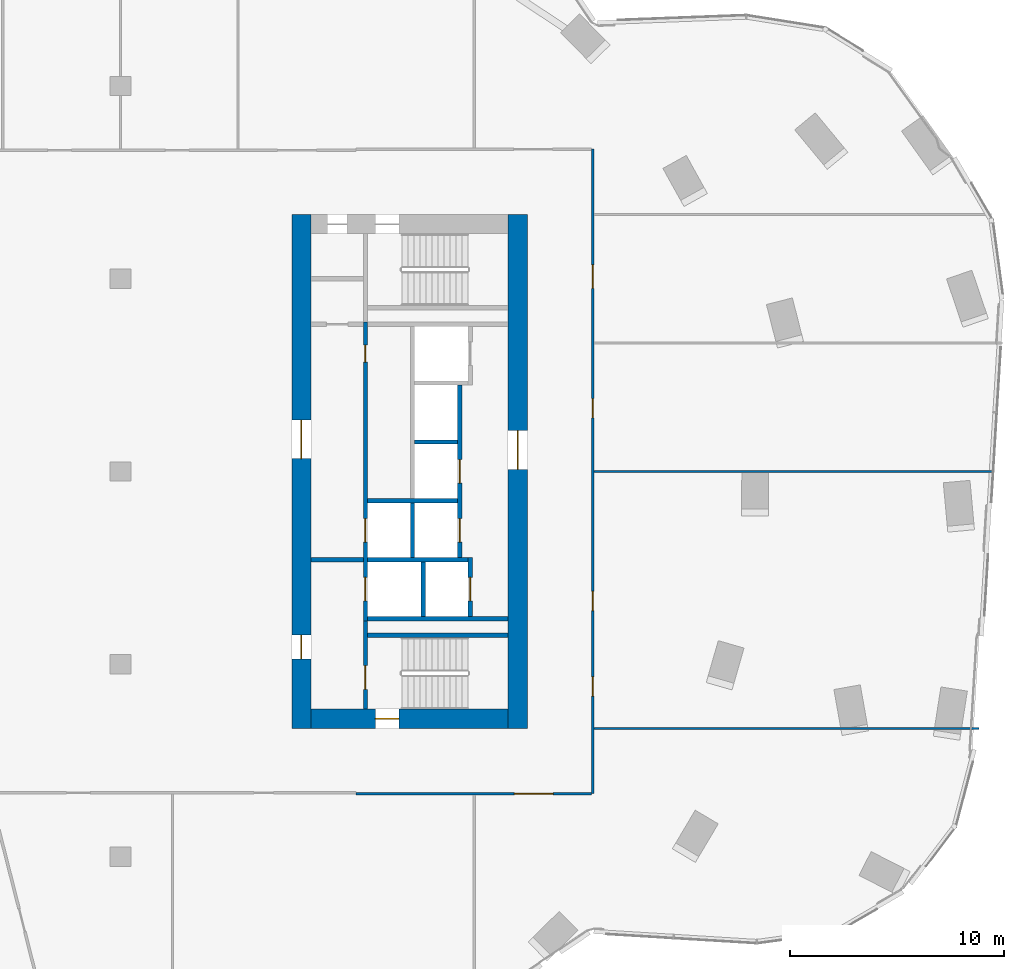
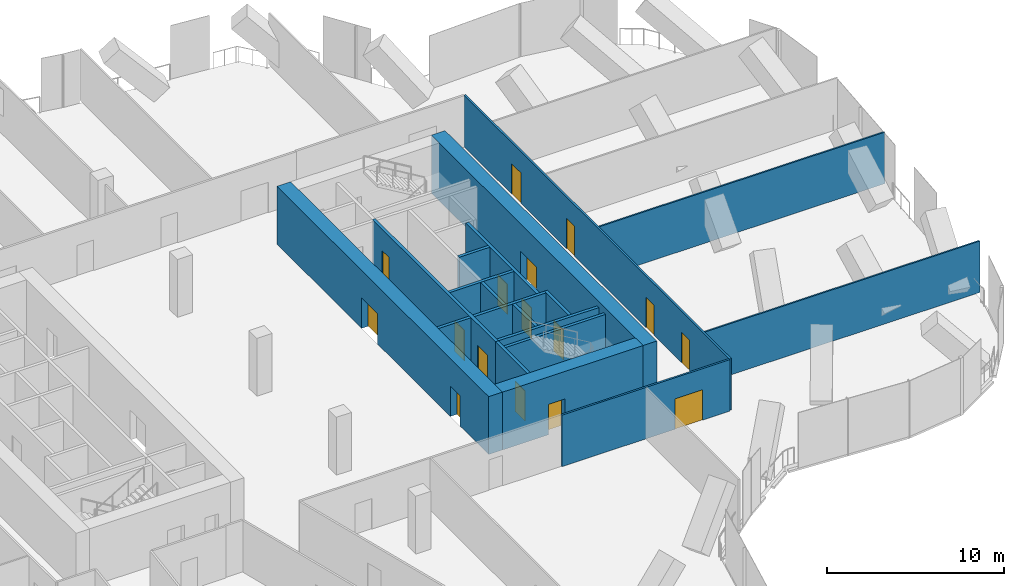
# One storey, part 22 of 28: 19 walls, 16 doors, 16 openings.
"""IFC4 building model written with IfcOpenShell, lengths in metres."""

from ifc_helpers import new_model, si_unit, direction, frame, frame_2d, origin, place, context, subcontext, project, spatial, rectangle, extrude, material, layer, layer_set, type_object, element, fill, save


model = new_model("IFC4")

# Units and contexts
model_context = context("Model", 3, precision=1e-05, world=origin(), true_north=direction((0.0, 1.0)))
body_context = subcontext(model_context, "Body", "Model", "MODEL_VIEW")
ifc_project = project(units=[si_unit("LENGTHUNIT", "METRE"), si_unit("AREAUNIT", "SQUARE_METRE"), si_unit("VOLUMEUNIT", "CUBIC_METRE"), si_unit("PLANEANGLEUNIT", "RADIAN"), si_unit("MASSUNIT", "GRAM", prefix="KILO")], contexts=[model_context])

# Site, building, storey
site_placement = place(None, origin())
site = spatial("IfcSite", under=ifc_project, at=site_placement, CompositionType="ELEMENT")
building_placement = place(site_placement, origin())
building = spatial("IfcBuilding", under=site, at=building_placement, Name="Orlundy Tower", CompositionType="ELEMENT")
storey_placement = place(building_placement, frame((0.0, 0.0, 163.10009765625)))
storey = spatial("IfcBuildingStorey", under=building, at=storey_placement, Name="L42", CompositionType="ELEMENT", Elevation=163.10009765625)

# Wall, opening, door
ifc_material_1 = material(Name="Concrete C70/85", Category="concrete")
ifc_layer_1 = layer(ifc_material_1, 0.89990234375)
ifc_layer_set_1 = layer_set([ifc_layer_1], Name="CORE WALL 900 C70/85")
wall_type_1 = type_object("IfcWallType", Name="CORE WALL 900 C70/85", PredefinedType="SHEAR", material=ifc_layer_set_1)
wall_1_placement = place(storey_placement, frame((8.89990234375, -11.550048828125, 0.0), z_axis=(0.0, 0.0, 1.0), x_axis=(1.0, 0.0, 0.0)))
wall_1 = element("IfcWall", 1, at=wall_1_placement, inside=storey, type_object=wall_type_1, Name="Core wall E-S L42", PredefinedType="SHEAR", context=body_context, shape_type="SweptSolid", body=[
    extrude(rectangle(XDim=9.2001953125, YDim=0.89990234375, at=frame_2d((4.60009765625, 0.0))), origin(), (0.0, 0.0, 1.0), 4.0),
])
opening_1_placement = place(wall_1_placement, frame((3.0, 0.0, 0.0)))
opening_1 = element("IfcOpeningElement", 2, at=opening_1_placement, cuts=wall_1, Name="Opening 33060", PredefinedType="OPENING", context=body_context, shape_type="SweptSolid", body=[
    extrude(rectangle(XDim=1.10009765625, YDim=2.10009765625, at=frame_2d((0.550048828125, 1.050048828125))), frame((0.0, 0.4599609375, 0.0), z_axis=(0.0, -1.0, 0.0), x_axis=(1.0, 0.0, 0.0)), (0.0, 0.0, 1.0), 0.919921875),
])
ifc_material_2 = material(Name="Steel door set", Category="steel")
door_type_1 = type_object("IfcDoorType", Name="Stair Door 1100x2100", OperationType="SINGLE_SWING_LEFT", PredefinedType="DOOR", material=ifc_material_2)
door_1_placement = place(opening_1_placement, origin())
door_1 = element("IfcDoor", 3, at=door_1_placement, inside=storey, type_object=door_type_1, Name="Stair door 33060", OperationType="SINGLE_SWING_LEFT", OverallHeight=2.10009765625, OverallWidth=1.10009765625, PredefinedType="DOOR", context=body_context, shape_type="SweptSolid", body=[
    extrude(rectangle(XDim=1.10009765625, YDim=2.10009765625, at=frame_2d((0.550048828125, 1.050048828125))), frame((0.0, 0.02490234375, 0.0), z_axis=(0.0, -1.0, 0.0), x_axis=(1.0, 0.0, 0.0)), (0.0, 0.0, 1.0), 0.050048828125),
])
fill(opening_1, door_1)

# Wall, openings, doors
wall_2_placement = place(storey_placement, frame((8.449951171875, -12.0, 0.0), z_axis=(0.0, 0.0, 1.0), x_axis=(0.0, 1.0, 0.0)))
wall_2 = element("IfcWall", 4, at=wall_2_placement, inside=storey, type_object=wall_type_1, Name="Core wall E-W L42", PredefinedType="SHEAR", context=body_context, shape_type="SweptSolid", body=[
    extrude(rectangle(XDim=24.0, YDim=0.89990234375, at=frame_2d((12.0, 0.0))), origin(), (0.0, 0.0, 1.0), 4.0),
])
opening_2_placement = place(wall_2_placement, frame((12.60009765625, 0.0, 0.0)))
opening_2 = element("IfcOpeningElement", 5, at=opening_2_placement, cuts=wall_2, Name="Opening 33057", PredefinedType="OPENING", context=body_context, shape_type="SweptSolid", body=[
    extrude(rectangle(XDim=1.800048828125, YDim=2.10009765625, at=frame_2d((0.89990234375, 1.050048828125))), frame((0.0, 0.4599609375, 0.0), z_axis=(0.0, -1.0, 0.0), x_axis=(1.0, 0.0, 0.0)), (0.0, 0.0, 1.0), 0.919921875),
])
opening_3_placement = place(wall_2_placement, frame((3.25, 0.0, 0.0)))
opening_3 = element("IfcOpeningElement", 6, at=opening_3_placement, cuts=wall_2, Name="Opening 33059", PredefinedType="OPENING", context=body_context, shape_type="SweptSolid", body=[
    extrude(rectangle(XDim=1.10009765625, YDim=2.10009765625, at=frame_2d((0.550048828125, 1.050048828125))), frame((0.0, 0.4599609375, 0.0), z_axis=(0.0, -1.0, 0.0), x_axis=(1.0, 0.0, 0.0)), (0.0, 0.0, 1.0), 0.919921875),
])
ifc_material_3 = material(Name="Steel door set", Category="steel")
door_type_2 = type_object("IfcDoorType", Name="Fire-fighting Lobby Door 1100x2100", OperationType="SINGLE_SWING_LEFT", PredefinedType="DOOR", material=ifc_material_3)
door_2_placement = place(opening_3_placement, origin())
door_2 = element("IfcDoor", 7, at=door_2_placement, inside=storey, type_object=door_type_2, Name="Fire-fighting lobby door 33059", OperationType="SINGLE_SWING_LEFT", OverallHeight=2.10009765625, OverallWidth=1.10009765625, PredefinedType="DOOR", context=body_context, shape_type="SweptSolid", body=[
    extrude(rectangle(XDim=1.10009765625, YDim=2.10009765625, at=frame_2d((0.550048828125, 1.050048828125))), frame((0.0, 0.02490234375, 0.0), z_axis=(0.0, -1.0, 0.0), x_axis=(1.0, 0.0, 0.0)), (0.0, 0.0, 1.0), 0.050048828125),
])
fill(opening_3, door_2)
ifc_material_4 = material(Name="Timber door set", Category="wood")
door_type_3 = type_object("IfcDoorType", Name="Lobby Door 1800x2100", OperationType="DOUBLE_DOOR_DOUBLE_SWING", PredefinedType="DOOR", material=ifc_material_4)
door_3_placement = place(opening_2_placement, origin())
door_3 = element("IfcDoor", 8, at=door_3_placement, inside=storey, type_object=door_type_3, Name="Lift lobby door 33057", OperationType="SINGLE_SWING_RIGHT", OverallHeight=2.10009765625, OverallWidth=1.800048828125, PredefinedType="DOOR", context=body_context, shape_type="SweptSolid", body=[
    extrude(rectangle(XDim=1.800048828125, YDim=2.10009765625, at=frame_2d((0.89990234375, 1.050048828125))), frame((0.0, 0.02490234375, 0.0), z_axis=(0.0, -1.0, 0.0), x_axis=(1.0, 0.0, 0.0)), (0.0, 0.0, 1.0), 0.050048828125),
])
fill(opening_2, door_3)

# Wall, opening, door
wall_3_placement = place(storey_placement, frame((18.550048828125, -12.0, 0.0), z_axis=(0.0, 0.0, 1.0), x_axis=(0.0, 1.0, 0.0)))
wall_3 = element("IfcWall", 9, at=wall_3_placement, inside=storey, type_object=wall_type_1, Name="Core wall E-E L42", PredefinedType="SHEAR", context=body_context, shape_type="SweptSolid", body=[
    extrude(rectangle(XDim=24.0, YDim=0.89990234375, at=frame_2d((12.0, 0.0))), origin(), (0.0, 0.0, 1.0), 4.0),
])
opening_4_placement = place(wall_3_placement, frame((12.10009765625, 0.0, 0.0)))
opening_4 = element("IfcOpeningElement", 10, at=opening_4_placement, cuts=wall_3, Name="Opening 33058", PredefinedType="OPENING", context=body_context, shape_type="SweptSolid", body=[
    extrude(rectangle(XDim=1.800048828125, YDim=2.10009765625, at=frame_2d((0.89990234375, 1.050048828125))), frame((0.0, 0.4599609375, 0.0), z_axis=(0.0, -1.0, 0.0), x_axis=(1.0, 0.0, 0.0)), (0.0, 0.0, 1.0), 0.919921875),
])
door_4_placement = place(opening_4_placement, origin())
door_4 = element("IfcDoor", 11, at=door_4_placement, inside=storey, type_object=door_type_3, Name="Lift lobby door 33058", OperationType="SINGLE_SWING_RIGHT", OverallHeight=2.10009765625, OverallWidth=1.800048828125, PredefinedType="DOOR", context=body_context, shape_type="SweptSolid", body=[
    extrude(rectangle(XDim=1.800048828125, YDim=2.10009765625, at=frame_2d((0.89990234375, 1.050048828125))), frame((0.0, 0.02490234375, 0.0), z_axis=(0.0, -1.0, 0.0), x_axis=(1.0, 0.0, 0.0)), (0.0, 0.0, 1.0), 0.050048828125),
])
fill(opening_4, door_4)

# Walls
ifc_material_5 = material(Name="Gypsum board partition")
ifc_layer_2 = layer(ifc_material_5, 0.10009765625)
ifc_layer_set_2 = layer_set([ifc_layer_2], Name="Floor partition 100")
wall_type_2 = type_object("IfcWallType", Name="Floor partition 100", PredefinedType="PARTITIONING", material=ifc_layer_set_2)
wall_4_placement = place(storey_placement, frame((22.113037109375, -12.0, 0.0), z_axis=(0.0, 0.0, 1.0), x_axis=(1.0, 0.0, 0.0)))
element("IfcWall", 12, at=wall_4_placement, inside=storey, type_object=wall_type_2, Name="wall-int-L42-047", PredefinedType="PARTITIONING", context=body_context, shape_type="SweptSolid", body=[
    extrude(rectangle(XDim=17.97900390625, YDim=0.10009765625, at=frame_2d((8.989501953125, 0.0))), origin(), (0.0, 0.0, 1.0), 3.559814453125),
])
wall_5_placement = place(storey_placement, frame((22.113037109375, 0.0, 0.0), z_axis=(0.0, 0.0, 1.0), x_axis=(1.0, 0.0, 0.0)))
element("IfcWall", 13, at=wall_5_placement, inside=storey, type_object=wall_type_2, Name="wall-int-L42-049", PredefinedType="PARTITIONING", context=body_context, shape_type="SweptSolid", body=[
    extrude(rectangle(XDim=18.712890625, YDim=0.10009765625, at=frame_2d((9.3564453125, 0.0))), origin(), (0.0, 0.0, 1.0), 3.559814453125),
])

# Wall, opening, door
ifc_material_6 = material(Name="Gypsum board partition, double layer")
ifc_layer_3 = layer(ifc_material_6, 0.125)
ifc_layer_set_3 = layer_set([ifc_layer_3], Name="Floor partition 125")
wall_type_3 = type_object("IfcWallType", Name="Floor partition 125", PredefinedType="PARTITIONING", material=ifc_layer_set_3)
wall_6_placement = place(storey_placement, frame((21.988037109375, -15.051025390625, 0.0), z_axis=(0.0, 0.0, 1.0), x_axis=(-1.0, 0.0, 0.0)))
wall_6 = element("IfcWall", 14, at=wall_6_placement, inside=storey, type_object=wall_type_3, Name="wall-int-L42-043", PredefinedType="PARTITIONING", context=body_context, shape_type="SweptSolid", body=[
    extrude(rectangle(XDim=10.9970703125, YDim=0.125, at=frame_2d((5.49853515625, 0.0))), origin(), (0.0, 0.0, 1.0), 3.559814453125),
])
opening_5_placement = place(wall_6_placement, frame((1.78759765625, 0.0, 0.0)))
opening_5 = element("IfcOpeningElement", 15, at=opening_5_placement, cuts=wall_6, Name="Opening 33118", PredefinedType="OPENING", context=body_context, shape_type="SweptSolid", body=[
    extrude(rectangle(XDim=1.800048828125, YDim=2.10009765625, at=frame_2d((0.89990234375, 1.050048828125))), frame((0.0, 0.072509765625, 0.0), z_axis=(0.0, -1.0, 0.0), x_axis=(1.0, 0.0, 0.0)), (0.0, 0.0, 1.0), 0.14501953125),
])
ifc_material_7 = material(Name="Timber door leaf", Category="wood")
door_type_4 = type_object("IfcDoorType", Name="Floor door double 1800 FD30S", OperationType="NOTDEFINED", PredefinedType="DOOR", material=ifc_material_7)
door_5_placement = place(opening_5_placement, origin())
door_5 = element("IfcDoor", 16, at=door_5_placement, inside=storey, type_object=door_type_4, Name="Door 33118", OperationType="DOUBLE_DOOR_SINGLE_SWING", OverallHeight=2.10009765625, OverallWidth=1.800048828125, PredefinedType="DOOR", context=body_context, shape_type="SweptSolid", body=[
    extrude(rectangle(XDim=1.800048828125, YDim=2.10009765625, at=frame_2d((0.89990234375, 1.050048828125))), frame((0.0, 0.02490234375, 0.0), z_axis=(0.0, -1.0, 0.0), x_axis=(1.0, 0.0, 0.0)), (0.0, 0.0, 1.0), 0.050048828125),
])
fill(opening_5, door_5)

# Wall, openings, doors
wall_7_placement = place(storey_placement, frame((22.051025390625, 15.050048828125, 0.0), z_axis=(0.0, 0.0, 1.0), x_axis=(0.0, -1.0, 0.0)))
wall_7 = element("IfcWall", 17, at=wall_7_placement, inside=storey, type_object=wall_type_3, Name="wall-int-L42-091", PredefinedType="PARTITIONING", context=body_context, shape_type="SweptSolid", body=[
    extrude(rectangle(XDim=30.10009765625, YDim=0.125, at=frame_2d((15.050048828125, 0.0))), origin(), (0.0, 0.0, 1.0), 3.559814453125),
])
opening_6_placement = place(wall_7_placement, frame((24.64990234375, 0.0, 0.0)))
opening_6 = element("IfcOpeningElement", 18, at=opening_6_placement, cuts=wall_7, Name="Opening 33119", PredefinedType="OPENING", context=body_context, shape_type="SweptSolid", body=[
    extrude(rectangle(XDim=0.89990234375, YDim=2.10009765625, at=frame_2d((0.449951171875, 1.050048828125))), frame((0.0, 0.072509765625, 0.0), z_axis=(0.0, -1.0, 0.0), x_axis=(1.0, 0.0, 0.0)), (0.0, 0.0, 1.0), 0.14501953125),
])
opening_7_placement = place(wall_7_placement, frame((20.64990234375, 0.0, 0.0)))
opening_7 = element("IfcOpeningElement", 19, at=opening_7_placement, cuts=wall_7, Name="Opening 33120", PredefinedType="OPENING", context=body_context, shape_type="SweptSolid", body=[
    extrude(rectangle(XDim=0.89990234375, YDim=2.10009765625, at=frame_2d((0.449951171875, 1.050048828125))), frame((0.0, 0.072509765625, 0.0), z_axis=(0.0, -1.0, 0.0), x_axis=(1.0, 0.0, 0.0)), (0.0, 0.0, 1.0), 0.14501953125),
])
opening_8_placement = place(wall_7_placement, frame((11.64990234375, 0.0, 0.0)))
opening_8 = element("IfcOpeningElement", 20, at=opening_8_placement, cuts=wall_7, Name="Opening 33121", PredefinedType="OPENING", context=body_context, shape_type="SweptSolid", body=[
    extrude(rectangle(XDim=0.89990234375, YDim=2.10009765625, at=frame_2d((0.449951171875, 1.050048828125))), frame((0.0, 0.072509765625, 0.0), z_axis=(0.0, -1.0, 0.0), x_axis=(1.0, 0.0, 0.0)), (0.0, 0.0, 1.0), 0.14501953125),
])
opening_9_placement = place(wall_7_placement, frame((5.39990234375, 0.0, 0.0)))
opening_9 = element("IfcOpeningElement", 21, at=opening_9_placement, cuts=wall_7, Name="Opening 33122", PredefinedType="OPENING", context=body_context, shape_type="SweptSolid", body=[
    extrude(rectangle(XDim=1.10009765625, YDim=2.10009765625, at=frame_2d((0.550048828125, 1.050048828125))), frame((0.0, 0.072509765625, 0.0), z_axis=(0.0, -1.0, 0.0), x_axis=(1.0, 0.0, 0.0)), (0.0, 0.0, 1.0), 0.14501953125),
])
ifc_material_8 = material(Name="Timber door leaf", Category="wood")
door_type_5 = type_object("IfcDoorType", Name="Floor door single 900 FD30S", OperationType="NOTDEFINED", PredefinedType="DOOR", material=ifc_material_8)
door_6_placement = place(opening_6_placement, origin())
door_6 = element("IfcDoor", 22, at=door_6_placement, inside=storey, type_object=door_type_5, Name="Door 33119", OperationType="SINGLE_SWING_RIGHT", OverallHeight=2.10009765625, OverallWidth=0.89990234375, PredefinedType="DOOR", context=body_context, shape_type="SweptSolid", body=[
    extrude(rectangle(XDim=0.89990234375, YDim=2.10009765625, at=frame_2d((0.449951171875, 1.050048828125))), frame((0.0, 0.02490234375, 0.0), z_axis=(0.0, -1.0, 0.0), x_axis=(1.0, 0.0, 0.0)), (0.0, 0.0, 1.0), 0.050048828125),
])
fill(opening_6, door_6)
door_7_placement = place(opening_7_placement, origin())
door_7 = element("IfcDoor", 23, at=door_7_placement, inside=storey, type_object=door_type_5, Name="Door 33120", OperationType="SINGLE_SWING_RIGHT", OverallHeight=2.10009765625, OverallWidth=0.89990234375, PredefinedType="DOOR", context=body_context, shape_type="SweptSolid", body=[
    extrude(rectangle(XDim=0.89990234375, YDim=2.10009765625, at=frame_2d((0.449951171875, 1.050048828125))), frame((0.0, 0.02490234375, 0.0), z_axis=(0.0, -1.0, 0.0), x_axis=(1.0, 0.0, 0.0)), (0.0, 0.0, 1.0), 0.050048828125),
])
fill(opening_7, door_7)
door_8_placement = place(opening_8_placement, origin())
door_8 = element("IfcDoor", 24, at=door_8_placement, inside=storey, type_object=door_type_5, Name="Door 33121", OperationType="SINGLE_SWING_LEFT", OverallHeight=2.10009765625, OverallWidth=0.89990234375, PredefinedType="DOOR", context=body_context, shape_type="SweptSolid", body=[
    extrude(rectangle(XDim=0.89990234375, YDim=2.10009765625, at=frame_2d((0.449951171875, 1.050048828125))), frame((0.0, 0.02490234375, 0.0), z_axis=(0.0, -1.0, 0.0), x_axis=(1.0, 0.0, 0.0)), (0.0, 0.0, 1.0), 0.050048828125),
])
fill(opening_8, door_8)
ifc_material_9 = material(Name="Timber door leaf", Category="wood")
door_type_6 = type_object("IfcDoorType", Name="Floor door xwide 1100 FD30S", OperationType="NOTDEFINED", PredefinedType="DOOR", material=ifc_material_9)
door_9_placement = place(opening_9_placement, origin())
door_9 = element("IfcDoor", 25, at=door_9_placement, inside=storey, type_object=door_type_6, Name="Door 33122", OperationType="SINGLE_SWING_LEFT", OverallHeight=2.10009765625, OverallWidth=1.10009765625, PredefinedType="DOOR", context=body_context, shape_type="SweptSolid", body=[
    extrude(rectangle(XDim=1.10009765625, YDim=2.10009765625, at=frame_2d((0.550048828125, 1.050048828125))), frame((0.0, 0.02490234375, 0.0), z_axis=(0.0, -1.0, 0.0), x_axis=(1.0, 0.0, 0.0)), (0.0, 0.0, 1.0), 0.050048828125),
])
fill(opening_9, door_9)

# Wall, opening, door
ifc_material_10 = material(Name="Concrete C40/50", Category="concrete")
ifc_layer_4 = layer(ifc_material_10, 0.199951171875)
ifc_layer_set_4 = layer_set([ifc_layer_4], Name="Load-bearing Shaft Wall 200")
wall_type_4 = type_object("IfcWallType", Name="Load-bearing Shaft Wall 200", PredefinedType="SOLIDWALL", material=ifc_layer_set_4)
wall_8_placement = place(storey_placement, frame((11.43994140625, -6.97509765625, 0.0), z_axis=(0.0, 0.0, 1.0), x_axis=(0.0, -1.0, 0.0)))
wall_8 = element("IfcWall", 26, at=wall_8_placement, inside=storey, type_object=wall_type_4, Name="Shaft wall E33-stair-end-n", PredefinedType="SOLIDWALL", context=body_context, shape_type="SweptSolid", body=[
    extrude(rectangle(XDim=4.125, YDim=0.199951171875, at=frame_2d((2.0625, 0.0))), origin(), (0.0, 0.0, 1.0), 3.579833984375),
])
opening_10_placement = place(wall_8_placement, frame((2.10009765625, 0.0, 0.0)))
opening_10 = element("IfcOpeningElement", 27, at=opening_10_placement, cuts=wall_8, Name="Opening 33062", PredefinedType="OPENING", context=body_context, shape_type="SweptSolid", body=[
    extrude(rectangle(XDim=1.10009765625, YDim=2.10009765625, at=frame_2d((0.550048828125, 1.050048828125))), frame((0.0, 0.110107421875, 0.0), z_axis=(0.0, -1.0, 0.0), x_axis=(1.0, 0.0, 0.0)), (0.0, 0.0, 1.0), 0.22021484375),
])
door_10_placement = place(opening_10_placement, origin())
door_10 = element("IfcDoor", 28, at=door_10_placement, inside=storey, type_object=door_type_2, Name="Fire-fighting lobby to stair door 33062", OperationType="SINGLE_SWING_RIGHT", OverallHeight=2.10009765625, OverallWidth=1.10009765625, PredefinedType="DOOR", context=body_context, shape_type="SweptSolid", body=[
    extrude(rectangle(XDim=1.10009765625, YDim=2.10009765625, at=frame_2d((0.550048828125, 1.050048828125))), frame((0.0, 0.02490234375, 0.0), z_axis=(0.0, -1.0, 0.0), x_axis=(1.0, 0.0, 0.0)), (0.0, 0.0, 1.0), 0.050048828125),
])
fill(opening_10, door_10)

# Walls
wall_9_placement = place(storey_placement, frame((11.5400390625, -7.64990234375, 0.0), z_axis=(0.0, 0.0, 1.0), x_axis=(1.0, 0.0, 0.0)))
element("IfcWall", 29, at=wall_9_placement, inside=storey, type_object=wall_type_4, Name="Shaft wall E33-stair-side-n", PredefinedType="SOLIDWALL", context=body_context, shape_type="SweptSolid", body=[
    extrude(rectangle(XDim=6.56005859375, YDim=0.199951171875, at=frame_2d((3.280029296875, 0.0))), origin(), (0.0, 0.0, 1.0), 3.579833984375),
])
ifc_material_11 = material(Name="Gypsum board partition on steel studs", Category="steel")
ifc_layer_5 = layer(ifc_material_11, 0.199951171875)
ifc_layer_set_5 = layer_set([ifc_layer_5], Name="Partition 200")
wall_type_5 = type_object("IfcWallType", Name="Partition 200", PredefinedType="PARTITIONING", material=ifc_layer_set_5)
wall_10_placement = place(storey_placement, frame((8.89990234375, -4.125, 0.0), z_axis=(0.0, 0.0, 1.0), x_axis=(1.0, 0.0, 0.0)))
element("IfcWall", 30, at=wall_10_placement, inside=storey, type_object=wall_type_5, Name="Partition wall E33-lobby-n", PredefinedType="PARTITIONING", context=body_context, shape_type="SweptSolid", body=[
    extrude(rectangle(XDim=2.440185546875, YDim=0.199951171875, at=frame_2d((1.22021484375, 0.0))), origin(), (0.0, 0.0, 1.0), 3.579833984375),
])
ifc_material_12 = material(Name="Fire-rated blockwork shaft wall", Category="masonry")
ifc_layer_6 = layer(ifc_material_12, 0.199951171875)
ifc_layer_set_6 = layer_set([ifc_layer_6], Name="Shaft Wall 200")
wall_type_6 = type_object("IfcWallType", Name="Shaft Wall 200", PredefinedType="SOLIDWALL", material=ifc_layer_set_6)
wall_11_placement = place(storey_placement, frame((11.5400390625, -6.875, 0.0), z_axis=(0.0, 0.0, 1.0), x_axis=(1.0, 0.0, 0.0)))
element("IfcWall", 31, at=wall_11_placement, inside=storey, type_object=wall_type_6, Name="Shaft wall E33-zone-n", PredefinedType="SOLIDWALL", context=body_context, shape_type="SweptSolid", body=[
    extrude(rectangle(XDim=6.56005859375, YDim=0.199951171875, at=frame_2d((3.280029296875, 0.0))), origin(), (0.0, 0.0, 1.0), 3.579833984375),
])
wall_12_placement = place(storey_placement, frame((13.739990234375, 1.375, 0.0), z_axis=(0.0, 0.0, 1.0), x_axis=(1.0, 0.0, 0.0)))
element("IfcWall", 32, at=wall_12_placement, inside=storey, type_object=wall_type_6, Name="Shaft wall E33-cross-1.375", PredefinedType="SOLIDWALL", context=body_context, shape_type="SweptSolid", body=[
    extrude(rectangle(XDim=2.0, YDim=0.199951171875, at=frame_2d((1.0, 0.0))), origin(), (0.0, 0.0, 1.0), 3.579833984375),
])
wall_13_placement = place(storey_placement, frame((11.5400390625, -1.375, 0.0), z_axis=(0.0, 0.0, 1.0), x_axis=(1.0, 0.0, 0.0)))
element("IfcWall", 33, at=wall_13_placement, inside=storey, type_object=wall_type_6, Name="Shaft wall E33-cross+1.375", PredefinedType="SOLIDWALL", context=body_context, shape_type="SweptSolid", body=[
    extrude(rectangle(XDim=4.199951171875, YDim=0.199951171875, at=frame_2d((2.10009765625, 0.0))), origin(), (0.0, 0.0, 1.0), 3.579833984375),
])
wall_14_placement = place(storey_placement, frame((11.5400390625, -4.125, 0.0), z_axis=(0.0, 0.0, 1.0), x_axis=(1.0, 0.0, 0.0)))
element("IfcWall", 34, at=wall_14_placement, inside=storey, type_object=wall_type_6, Name="Shaft wall E33-cross+4.125", PredefinedType="SOLIDWALL", context=body_context, shape_type="SweptSolid", body=[
    extrude(rectangle(XDim=4.699951171875, YDim=0.199951171875, at=frame_2d((2.35009765625, 0.0))), origin(), (0.0, 0.0, 1.0), 3.579833984375),
])

# Wall, openings, doors
wall_15_placement = place(storey_placement, frame((11.43994140625, 6.97509765625, 0.0), z_axis=(0.0, 0.0, 1.0), x_axis=(0.0, -1.0, 0.0)))
wall_15 = element("IfcWall", 35, at=wall_15_placement, inside=storey, type_object=wall_type_6, Name="Shaft wall E33-front-h", PredefinedType="SOLIDWALL", context=body_context, shape_type="SweptSolid", body=[
    extrude(rectangle(XDim=13.9501953125, YDim=0.199951171875, at=frame_2d((6.97509765625, 0.0))), origin(), (0.0, 0.0, 1.0), 3.579833984375),
])
opening_11_placement = place(wall_15_placement, frame((9.175048828125, 0.0, 0.0)))
opening_11 = element("IfcOpeningElement", 36, at=opening_11_placement, cuts=wall_15, Name="Opening 33052", PredefinedType="OPENING", context=body_context, shape_type="SweptSolid", body=[
    extrude(rectangle(XDim=1.10009765625, YDim=2.10009765625, at=frame_2d((0.550048828125, 1.050048828125))), frame((0.0, 0.110107421875, 0.0), z_axis=(0.0, -1.0, 0.0), x_axis=(1.0, 0.0, 0.0)), (0.0, 0.0, 1.0), 0.22021484375),
])
opening_12_placement = place(wall_15_placement, frame((11.925048828125, 0.0, 0.0)))
opening_12 = element("IfcOpeningElement", 37, at=opening_12_placement, cuts=wall_15, Name="Opening 33054", PredefinedType="OPENING", context=body_context, shape_type="SweptSolid", body=[
    extrude(rectangle(XDim=1.10009765625, YDim=2.10009765625, at=frame_2d((0.550048828125, 1.050048828125))), frame((0.0, 0.110107421875, 0.0), z_axis=(0.0, -1.0, 0.0), x_axis=(1.0, 0.0, 0.0)), (0.0, 0.0, 1.0), 0.22021484375),
])
opening_13_placement = place(wall_15_placement, frame((1.074951171875, 0.0, 0.0)))
opening_13 = element("IfcOpeningElement", 38, at=opening_13_placement, cuts=wall_15, Name="Opening 33056", PredefinedType="OPENING", context=body_context, shape_type="SweptSolid", body=[
    extrude(rectangle(XDim=0.800048828125, YDim=2.10009765625, at=frame_2d((0.39990234375, 1.050048828125))), frame((0.0, 0.110107421875, 0.0), z_axis=(0.0, -1.0, 0.0), x_axis=(1.0, 0.0, 0.0)), (0.0, 0.0, 1.0), 0.22021484375),
])
ifc_material_13 = material(Name="Steel door set", Category="steel")
door_type_7 = type_object("IfcDoorType", Name="Landing Door 1100x2100", OperationType="DOUBLE_DOOR_SLIDING", PredefinedType="DOOR", material=ifc_material_13)
door_11_placement = place(opening_11_placement, origin())
door_11 = element("IfcDoor", 39, at=door_11_placement, inside=storey, type_object=door_type_7, Name="Lift landing door LP-16 33052", OperationType="DOUBLE_DOOR_SLIDING", OverallHeight=2.10009765625, OverallWidth=1.10009765625, PredefinedType="DOOR", context=body_context, shape_type="SweptSolid", body=[
    extrude(rectangle(XDim=1.10009765625, YDim=2.10009765625, at=frame_2d((0.550048828125, 1.050048828125))), frame((0.0, 0.02490234375, 0.0), z_axis=(0.0, -1.0, 0.0), x_axis=(1.0, 0.0, 0.0)), (0.0, 0.0, 1.0), 0.050048828125),
])
fill(opening_11, door_11)
door_12_placement = place(opening_12_placement, origin())
door_12 = element("IfcDoor", 40, at=door_12_placement, inside=storey, type_object=door_type_7, Name="Lift landing door FL2 33054", OperationType="DOUBLE_DOOR_SLIDING", OverallHeight=2.10009765625, OverallWidth=1.10009765625, PredefinedType="DOOR", context=body_context, shape_type="SweptSolid", body=[
    extrude(rectangle(XDim=1.10009765625, YDim=2.10009765625, at=frame_2d((0.550048828125, 1.050048828125))), frame((0.0, 0.02490234375, 0.0), z_axis=(0.0, -1.0, 0.0), x_axis=(1.0, 0.0, 0.0)), (0.0, 0.0, 1.0), 0.050048828125),
])
fill(opening_12, door_12)
ifc_material_14 = material(Name="Timber door set", Category="wood")
door_type_8 = type_object("IfcDoorType", Name="Riser Door 800x2100", OperationType="SINGLE_SWING_LEFT", PredefinedType="DOOR", material=ifc_material_14)
door_13_placement = place(opening_13_placement, origin())
door_13 = element("IfcDoor", 41, at=door_13_placement, inside=storey, type_object=door_type_8, Name="Electrical Riser Room door 33056", OperationType="SINGLE_SWING_LEFT", OverallHeight=2.10009765625, OverallWidth=0.800048828125, PredefinedType="DOOR", context=body_context, shape_type="SweptSolid", body=[
    extrude(rectangle(XDim=0.800048828125, YDim=2.10009765625, at=frame_2d((0.39990234375, 1.050048828125))), frame((0.0, 0.02490234375, 0.0), z_axis=(0.0, -1.0, 0.0), x_axis=(1.0, 0.0, 0.0)), (0.0, 0.0, 1.0), 0.050048828125),
])
fill(opening_13, door_13)

# Walls
for number, where, z_axis, x_axis, name in (
    (42, (13.639892578125, -1.47509765625, 0.0), (0.0, 0.0, 1.0), (0.0, -1.0, 0.0), "Shaft wall E33-mid-a.1"),
    (43, (14.139892578125, -4.22509765625, 0.0), (0.0, 0.0, 1.0), (0.0, -1.0, 0.0), "Shaft wall E33-mid-b"),
):
    element("IfcWall", number, at=place(storey_placement, frame(where, z_axis=z_axis, x_axis=x_axis)), inside=storey, type_object=wall_type_6, Name=name, PredefinedType="SOLIDWALL", context=body_context, shape_type="SweptSolid", body=[
        extrude(rectangle(XDim=2.5498046875, YDim=0.199951171875, at=frame_2d((1.27490234375, 0.0))), origin(), (0.0, 0.0, 1.0), 3.579833984375),
    ])

# Wall, openings, doors
wall_16_placement = place(storey_placement, frame((15.840087890625, 4.02490234375, 0.0), z_axis=(0.0, 0.0, 1.0), x_axis=(0.0, -1.0, 0.0)))
wall_16 = element("IfcWall", 44, at=wall_16_placement, inside=storey, type_object=wall_type_6, Name="Shaft wall E33-front-o-b", PredefinedType="SOLIDWALL", context=body_context, shape_type="SweptSolid", body=[
    extrude(rectangle(XDim=8.0498046875, YDim=0.199951171875, at=frame_2d((4.02490234375, 0.0))), origin(), (0.0, 0.0, 1.0), 3.579833984375),
])
opening_14_placement = place(wall_16_placement, frame((3.47509765625, 0.0, 0.0)))
opening_14 = element("IfcOpeningElement", 45, at=opening_14_placement, cuts=wall_16, Name="Opening 33051", PredefinedType="OPENING", context=body_context, shape_type="SweptSolid", body=[
    extrude(rectangle(XDim=1.10009765625, YDim=2.10009765625, at=frame_2d((0.550048828125, 1.050048828125))), frame((0.0, 0.110107421875, 0.0), z_axis=(0.0, -1.0, 0.0), x_axis=(1.0, 0.0, 0.0)), (0.0, 0.0, 1.0), 0.22021484375),
])
opening_15_placement = place(wall_16_placement, frame((6.22509765625, 0.0, 0.0)))
opening_15 = element("IfcOpeningElement", 46, at=opening_15_placement, cuts=wall_16, Name="Opening 33053", PredefinedType="OPENING", context=body_context, shape_type="SweptSolid", body=[
    extrude(rectangle(XDim=1.10009765625, YDim=2.10009765625, at=frame_2d((0.550048828125, 1.050048828125))), frame((0.0, 0.110107421875, 0.0), z_axis=(0.0, -1.0, 0.0), x_axis=(1.0, 0.0, 0.0)), (0.0, 0.0, 1.0), 0.22021484375),
])
door_14_placement = place(opening_14_placement, origin())
door_14 = element("IfcDoor", 47, at=door_14_placement, inside=storey, type_object=door_type_7, Name="Lift landing door LP-15 33051", OperationType="DOUBLE_DOOR_SLIDING", OverallHeight=2.10009765625, OverallWidth=1.10009765625, PredefinedType="DOOR", context=body_context, shape_type="SweptSolid", body=[
    extrude(rectangle(XDim=1.10009765625, YDim=2.10009765625, at=frame_2d((0.550048828125, 1.050048828125))), frame((0.0, 0.02490234375, 0.0), z_axis=(0.0, -1.0, 0.0), x_axis=(1.0, 0.0, 0.0)), (0.0, 0.0, 1.0), 0.050048828125),
])
fill(opening_14, door_14)
door_15_placement = place(opening_15_placement, origin())
door_15 = element("IfcDoor", 48, at=door_15_placement, inside=storey, type_object=door_type_7, Name="Lift landing door LP-17 33053", OperationType="DOUBLE_DOOR_SLIDING", OverallHeight=2.10009765625, OverallWidth=1.10009765625, PredefinedType="DOOR", context=body_context, shape_type="SweptSolid", body=[
    extrude(rectangle(XDim=1.10009765625, YDim=2.10009765625, at=frame_2d((0.550048828125, 1.050048828125))), frame((0.0, 0.02490234375, 0.0), z_axis=(0.0, -1.0, 0.0), x_axis=(1.0, 0.0, 0.0)), (0.0, 0.0, 1.0), 0.050048828125),
])
fill(opening_15, door_15)

# Wall, opening, door
wall_17_placement = place(storey_placement, frame((16.340087890625, -4.02490234375, 0.0), z_axis=(0.0, 0.0, 1.0), x_axis=(0.0, -1.0, 0.0)))
wall_17 = element("IfcWall", 49, at=wall_17_placement, inside=storey, type_object=wall_type_6, Name="Shaft wall E33-front-o-c", PredefinedType="SOLIDWALL", context=body_context, shape_type="SweptSolid", body=[
    extrude(rectangle(XDim=2.75, YDim=0.199951171875, at=frame_2d((1.375, 0.0))), origin(), (0.0, 0.0, 1.0), 3.579833984375),
])
opening_16_placement = place(wall_17_placement, frame((0.925048828125, 0.0, 0.0)))
opening_16 = element("IfcOpeningElement", 50, at=opening_16_placement, cuts=wall_17, Name="Opening 33055", PredefinedType="OPENING", context=body_context, shape_type="SweptSolid", body=[
    extrude(rectangle(XDim=1.10009765625, YDim=2.10009765625, at=frame_2d((0.550048828125, 1.050048828125))), frame((0.0, 0.110107421875, 0.0), z_axis=(0.0, -1.0, 0.0), x_axis=(1.0, 0.0, 0.0)), (0.0, 0.0, 1.0), 0.22021484375),
])
door_16_placement = place(opening_16_placement, origin())
door_16 = element("IfcDoor", 51, at=door_16_placement, inside=storey, type_object=door_type_7, Name="Lift landing door LP-18 33055", OperationType="DOUBLE_DOOR_SLIDING", OverallHeight=2.10009765625, OverallWidth=1.10009765625, PredefinedType="DOOR", context=body_context, shape_type="SweptSolid", body=[
    extrude(rectangle(XDim=1.10009765625, YDim=2.10009765625, at=frame_2d((0.550048828125, 1.050048828125))), frame((0.0, 0.02490234375, 0.0), z_axis=(0.0, -1.0, 0.0), x_axis=(1.0, 0.0, 0.0)), (0.0, 0.0, 1.0), 0.050048828125),
])
fill(opening_16, door_16)

save(model, "model.ifc")
